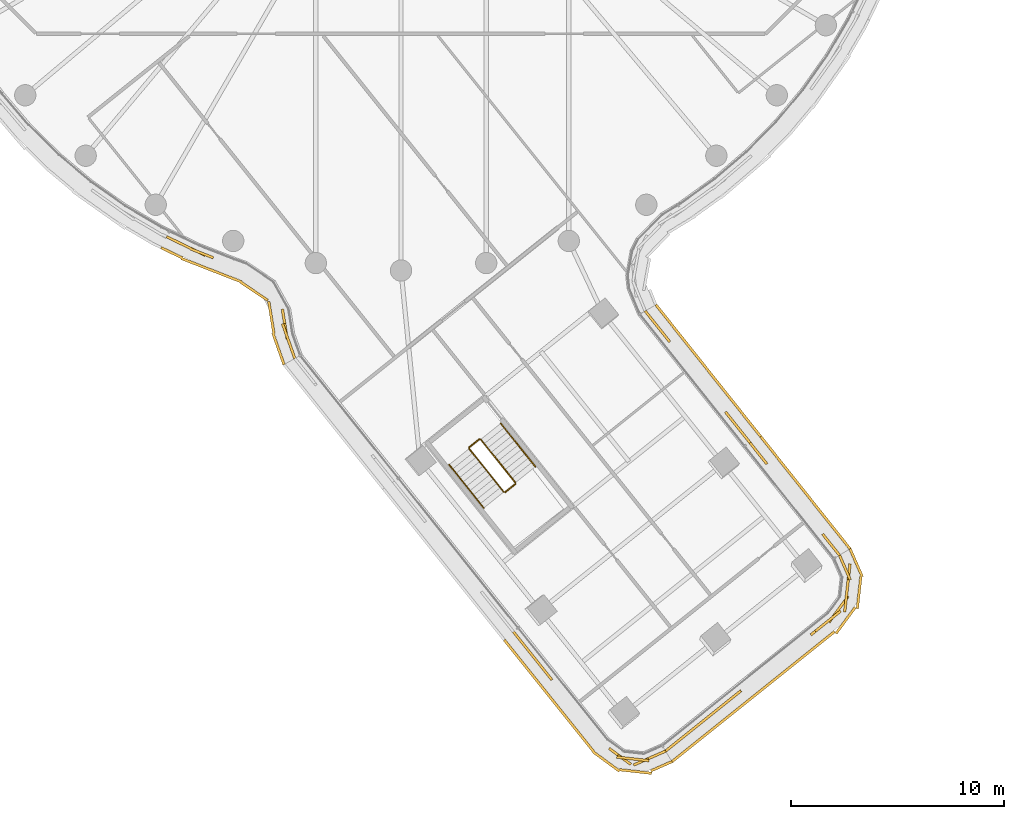
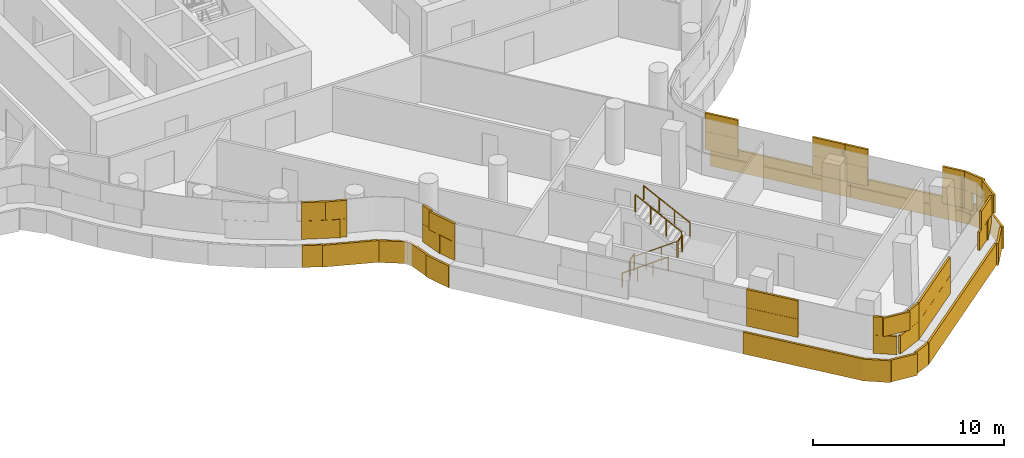
# One storey, part 26 of 31: 6 railings, 5 coverings.
"""IFC4 building model written with IfcOpenShell, lengths in metres."""

from ifc_helpers import new_model, si_unit, direction, frame, origin, origin_2d, place, context, subcontext, project, spatial, rectangle, circle, extrude, material, layer, layer_set, type_object, element, save


model = new_model("IFC4")

# Units and contexts
model_context = context("Model", 3, precision=1e-05, world=origin(), true_north=direction((0.0, 1.0)))
body_context = subcontext(model_context, "Body", "Model", "MODEL_VIEW")
ifc_project = project(units=[si_unit("LENGTHUNIT", "METRE"), si_unit("AREAUNIT", "SQUARE_METRE"), si_unit("VOLUMEUNIT", "CUBIC_METRE"), si_unit("PLANEANGLEUNIT", "RADIAN"), si_unit("MASSUNIT", "GRAM", prefix="KILO")], contexts=[model_context])

# Site, building, storey
site_placement = place(None, origin())
site = spatial("IfcSite", under=ifc_project, at=site_placement, CompositionType="ELEMENT")
building_placement = place(site_placement, origin())
building = spatial("IfcBuilding", under=site, at=building_placement, Name="Tamarind Cross Interchange Tower", CompositionType="ELEMENT")
storey_placement = place(building_placement, frame((0.0, 0.0, 174.25)))
storey = spatial("IfcBuildingStorey", under=building, at=storey_placement, Name="L43", CompositionType="ELEMENT", Elevation=174.25)

# Railings
ifc_material_1 = material(Name="Stair guard")
railing_type_1 = type_object("IfcRailingType", Name="Stair guard", PredefinedType="GUARDRAIL", material=ifc_material_1)
railing_1_placement = place(storey_placement, frame((3.193359375, -31.35498046875, 0.17041015625)))
element("IfcRailing", 1, at=railing_1_placement, inside=storey, type_object=railing_type_1, Name="L43 ST6 stair guard 1", PredefinedType="GUARDRAIL", context=body_context, shape_type="SweptSolid", body=[
    extrude(circle(Radius=0.02392578125, at=origin_2d()), frame((0.0, 0.0, 1.076171875), z_axis=(0.522440495283, -0.653030987341, 0.548275896298), x_axis=(0.780859648533, 0.62470649852, 0.0)), (0.0, 0.0, 1.0), 3.10888671875),
    extrude(circle(Radius=0.02099609375, at=origin_2d()), origin(), (0.0, 0.0, 1.0), 1.052001953125),
    extrude(circle(Radius=0.02099609375, at=origin_2d()), frame((0.54150390625, -0.6767578125, 0.568115234375)), (0.0, 0.0, 1.0), 1.052001953125),
    extrude(circle(Radius=0.02099609375, at=origin_2d()), frame((1.082763671875, -1.353515625, 1.136474609375)), (0.0, 0.0, 1.0), 1.052001953125),
    extrude(circle(Radius=0.02099609375, at=origin_2d()), frame((1.624267578125, -2.0302734375, 1.70458984375)), (0.0, 0.0, 1.0), 1.052001953125),
])
railing_2_placement = place(storey_placement, frame((4.8876953125, -33.39306640625, 1.875)))
element("IfcRailing", 2, at=railing_2_placement, inside=storey, type_object=railing_type_1, Name="L43 ST6 stair guard 2", PredefinedType="GUARDRAIL", context=body_context, shape_type="SweptSolid", body=[
    extrude(circle(Radius=0.02392578125, at=origin_2d()), frame((0.0, 0.0, 1.076171875), z_axis=(0.781067211918, 0.624446963695, 0.0), x_axis=(-0.624446963695, 0.781067211918, 0.0)), (0.0, 0.0, 1.0), 0.60009765625),
    extrude(circle(Radius=0.02099609375, at=origin_2d()), origin(), (0.0, 0.0, 1.0), 1.052001953125),
    extrude(circle(Radius=0.02099609375, at=origin_2d()), frame((0.46875, 0.374755859375, 0.0)), (0.0, 0.0, 1.0), 1.052001953125),
])
railing_3_placement = place(storey_placement, frame((5.3642578125, -32.947998046875, 2.04541015625)))
element("IfcRailing", 3, at=railing_3_placement, inside=storey, type_object=railing_type_1, Name="L43 ST6 stair guard 3", PredefinedType="GUARDRAIL", context=body_context, shape_type="SweptSolid", body=[
    extrude(circle(Radius=0.02392578125, at=origin_2d()), frame((0.0, 0.0, 1.076171875), z_axis=(-0.522440495283, 0.653030987341, 0.548275896298), x_axis=(-0.780859648533, -0.62470649852, 0.0)), (0.0, 0.0, 1.0), 3.10888671875),
    extrude(circle(Radius=0.02099609375, at=origin_2d()), origin(), (0.0, 0.0, 1.0), 1.052001953125),
    extrude(circle(Radius=0.02099609375, at=origin_2d()), frame((-0.54150390625, 0.6767578125, 0.568115234375)), (0.0, 0.0, 1.0), 1.052001953125),
    extrude(circle(Radius=0.02099609375, at=origin_2d()), frame((-1.082763671875, 1.353515625, 1.136474609375)), (0.0, 0.0, 1.0), 1.052001953125),
    extrude(circle(Radius=0.02099609375, at=origin_2d()), frame((-1.624267578125, 2.0302734375, 1.70458984375)), (0.0, 0.0, 1.0), 1.052001953125),
])
railing_4_placement = place(storey_placement, frame((3.201171875, -31.28466796875, 0.0)))
element("IfcRailing", 4, at=railing_4_placement, inside=storey, type_object=railing_type_1, Name="L43 ST6 stair guard 4", PredefinedType="GUARDRAIL", context=body_context, shape_type="SweptSolid", body=[
    extrude(circle(Radius=0.02392578125, at=origin_2d()), frame((0.0, 0.0, 1.076171875), z_axis=(0.780908508854, 0.624645420058, 0.0), x_axis=(-0.624645420058, 0.780908508854, 0.0)), (0.0, 0.0, 1.0), 0.599853515625),
    extrude(circle(Radius=0.02099609375, at=origin_2d()), origin(), (0.0, 0.0, 1.0), 1.052001953125),
    extrude(circle(Radius=0.02099609375, at=origin_2d()), frame((0.468505859375, 0.374755859375, 0.0)), (0.0, 0.0, 1.0), 1.052001953125),
])
ifc_material_2 = material(Name="Stair handrail")
railing_type_2 = type_object("IfcRailingType", Name="Stair handrail", PredefinedType="HANDRAIL", material=ifc_material_2)
railing_5_placement = place(storey_placement, frame((2.25634765625, -32.1044921875, 0.17041015625)))
element("IfcRailing", 5, at=railing_5_placement, inside=storey, type_object=railing_type_2, Name="L43 ST6 stair handrail 1", PredefinedType="HANDRAIL", context=body_context, shape_type="SweptSolid", body=[
    extrude(circle(Radius=0.02392578125, at=origin_2d()), frame((0.0, 0.0, 0.8759765625), z_axis=(0.522383398209, -0.653057778038, 0.548298389401), x_axis=(0.780905453553, 0.624649239663, 0.0)), (0.0, 0.0, 1.0), 3.10888671875),
    extrude(circle(Radius=0.02099609375, at=origin_2d()), origin(), (0.0, 0.0, 1.0), 0.851806640625),
    extrude(circle(Radius=0.02099609375, at=origin_2d()), frame((0.541259765625, -0.6767578125, 0.568115234375)), (0.0, 0.0, 1.0), 0.851806640625),
    extrude(circle(Radius=0.02099609375, at=origin_2d()), frame((1.082763671875, -1.353515625, 1.136474609375)), (0.0, 0.0, 1.0), 0.851806640625),
    extrude(circle(Radius=0.02099609375, at=origin_2d()), frame((1.6240234375, -2.0302734375, 1.70458984375)), (0.0, 0.0, 1.0), 0.851806640625),
])
railing_6_placement = place(storey_placement, frame((6.30126953125, -32.198486328125, 2.04541015625)))
element("IfcRailing", 6, at=railing_6_placement, inside=storey, type_object=railing_type_2, Name="L43 ST6 stair handrail 2", PredefinedType="HANDRAIL", context=body_context, shape_type="SweptSolid", body=[
    extrude(circle(Radius=0.02392578125, at=origin_2d()), frame((0.0, 0.0, 0.8759765625), z_axis=(-0.522413704671, 0.65307602311, 0.548247780853), x_axis=(-0.780896289151, -0.624660696371, 0.0)), (0.0, 0.0, 1.0), 3.109130859375),
    extrude(circle(Radius=0.02099609375, at=origin_2d()), origin(), (0.0, 0.0, 1.0), 0.851806640625),
    extrude(circle(Radius=0.02099609375, at=origin_2d()), frame((-0.54150390625, 0.6767578125, 0.568115234375)), (0.0, 0.0, 1.0), 0.851806640625),
    extrude(circle(Radius=0.02099609375, at=origin_2d()), frame((-1.082763671875, 1.353759765625, 1.136474609375)), (0.0, 0.0, 1.0), 0.851806640625),
    extrude(circle(Radius=0.02099609375, at=origin_2d()), frame((-1.624267578125, 2.030517578125, 1.70458984375)), (0.0, 0.0, 1.0), 0.851806640625),
])

# Coverings
ifc_material_3 = material(Name="Terracotta", Category="masonry")
ifc_layer = layer(ifc_material_3, 0.1201171875)
ifc_layer_set = layer_set([ifc_layer], Name="Terracotta")
covering_type = type_object("IfcCoveringType", Name="Terracotta baguette screen unit", PredefinedType="MOLDING", material=ifc_layer_set)
covering_1_placement = place(storey_placement, origin())
element("IfcCovering", 7, at=covering_1_placement, inside=storey, type_object=covering_type, Name="SCR-L43-02-01", PredefinedType="MOLDING", context=body_context, shape_type="SweptSolid", body=[
    extrude(rectangle(XDim=0.516845703125, YDim=0.1201171875, at=origin_2d()), frame((-10.7568359375, -21.52978515625, 1.404052734375), z_axis=(0.0, 0.0, 1.0), x_axis=(0.900272776334, -0.435326231914, 0.0)), (0.0, 0.0, 1.0), 1.1669921875),
    extrude(rectangle(XDim=1.52001953125, YDim=0.1201171875, at=origin_2d()), frame((-9.853271484375, -21.966796875, 1.404052734375), z_axis=(0.0, 0.0, 1.0), x_axis=(0.900272776334, -0.435326231914, 0.0)), (0.0, 0.0, 1.0), 1.1669921875),
    extrude(rectangle(XDim=0.392578125, YDim=0.1201171875, at=origin_2d()), frame((-8.98583984375, -22.33056640625, 1.404052734375), z_axis=(0.0, 0.0, 1.0), x_axis=(0.931591088049, -0.363507970569, 0.0)), (0.0, 0.0, 1.0), 1.1669921875),
    extrude(rectangle(XDim=1.42724609375, YDim=0.1201171875, at=origin_2d()), frame((-5.44921875, -25.518310546875, 1.404052734375), z_axis=(0.0, 0.0, 1.0), x_axis=(0.157985413104, -0.987441445984, 0.0)), (0.0, 0.0, 1.0), 1.1669921875),
    extrude(rectangle(XDim=0.982177734375, YDim=0.1201171875, at=origin_2d()), frame((-5.140869140625, -26.667724609375, 1.404052734375), z_axis=(0.0, 0.0, 1.0), x_axis=(0.333495519273, -0.942751684499, 0.0)), (0.0, 0.0, 1.0), 1.1669921875),
    extrude(rectangle(XDim=1.266845703125, YDim=0.1201171875, at=origin_2d()), frame((-10.419189453125, -21.693115234375, 2.5791015625), z_axis=(0.0, 0.0, 1.0), x_axis=(0.900272776334, -0.435326231914, 0.0)), (0.0, 0.0, 1.0), 1.1669921875),
    extrude(rectangle(XDim=1.142578125, YDim=0.1201171875, at=origin_2d()), frame((-9.335205078125, -22.1943359375, 2.5791015625), z_axis=(0.0, 0.0, 1.0), x_axis=(0.931591088049, -0.363507970569, 0.0)), (0.0, 0.0, 1.0), 1.1669921875),
    extrude(rectangle(XDim=0.67724609375, YDim=0.1201171875, at=origin_2d()), frame((-5.508544921875, -25.14794921875, 2.5791015625), z_axis=(0.0, 0.0, 1.0), x_axis=(0.157985413104, -0.987441445984, 0.0)), (0.0, 0.0, 1.0), 1.1669921875),
    extrude(rectangle(XDim=1.52001953125, YDim=0.1201171875, at=origin_2d()), frame((-5.30322265625, -26.20947265625, 2.5791015625), z_axis=(0.0, 0.0, 1.0), x_axis=(0.333495519273, -0.942751684499, 0.0)), (0.0, 0.0, 1.0), 1.1669921875),
    extrude(rectangle(XDim=0.232177734375, YDim=0.1201171875, at=origin_2d()), frame((-5.015869140625, -27.021240234375, 2.5791015625), z_axis=(0.0, 0.0, 1.0), x_axis=(0.333495519273, -0.942751684499, 0.0)), (0.0, 0.0, 1.0), 1.1669921875),
    extrude(rectangle(XDim=1.099853515625, YDim=0.1201171875, at=origin_2d()), frame((-10.752197265625, -22.169677734375, 0.00390625), z_axis=(0.0, 0.0, 1.0), x_axis=(0.900272776334, -0.435326231914, 0.0)), (0.0, 0.0, 1.0), 1.39208984375),
    extrude(rectangle(XDim=1.52001953125, YDim=0.1201171875, at=origin_2d()), frame((-9.583251953125, -22.7138671875, 0.00390625), z_axis=(0.0, 0.0, 1.0), x_axis=(0.931591088049, -0.363507970569, 0.0)), (0.0, 0.0, 1.0), 1.39208984375),
    extrude(rectangle(XDim=1.52001953125, YDim=0.1201171875, at=origin_2d()), frame((-8.185791015625, -23.259033203125, 0.00390625), z_axis=(0.0, 0.0, 1.0), x_axis=(0.931591088049, -0.363507970569, 0.0)), (0.0, 0.0, 1.0), 1.39208984375),
    extrude(rectangle(XDim=1.52001953125, YDim=0.1201171875, at=origin_2d()), frame((-6.87939453125, -23.975341796875, 0.00390625), z_axis=(0.0, 0.0, 1.0), x_axis=(0.829754171927, -0.558129030036, 0.0)), (0.0, 0.0, 1.0), 1.39208984375),
    extrude(rectangle(XDim=1.52001953125, YDim=0.1201171875, at=origin_2d()), frame((-6.0810546875, -25.201904296875, 0.00390625), z_axis=(0.0, 0.0, 1.0), x_axis=(0.157985413104, -0.987441445984, 0.0)), (0.0, 0.0, 1.0), 1.39208984375),
    extrude(rectangle(XDim=1.52001953125, YDim=0.1201171875, at=origin_2d()), frame((-5.752685546875, -26.659912109375, 0.00390625), z_axis=(0.0, 0.0, 1.0), x_axis=(0.333495519273, -0.942751684499, 0.0)), (0.0, 0.0, 1.0), 1.39208984375),
    extrude(rectangle(XDim=0.054443359375, YDim=0.1201171875, at=origin_2d()), frame((-5.496826171875, -27.383056640625, 0.00390625), z_axis=(0.0, 0.0, 1.0), x_axis=(0.333495519273, -0.942751684499, 0.0)), (0.0, 0.0, 1.0), 1.39208984375),
])
covering_2_placement = place(storey_placement, origin())
element("IfcCovering", 8, at=covering_2_placement, inside=storey, type_object=covering_type, Name="SCR-L43-03-02", PredefinedType="MOLDING", context=body_context, shape_type="SweptSolid", body=[
    extrude(rectangle(XDim=0.8486328125, YDim=0.1201171875, at=origin_2d()), frame((5.53466796875, -40.26904296875, 1.404052734375), z_axis=(0.0, 0.0, 1.0), x_axis=(0.624664951388, -0.780892885425, 0.0)), (0.0, 0.0, 1.0), 1.1669921875),
    extrude(rectangle(XDim=1.52001953125, YDim=0.1201171875, at=origin_2d()), frame((6.26513671875, -41.18212890625, 1.404052734375), z_axis=(0.0, 0.0, 1.0), x_axis=(0.624664951388, -0.780892885425, 0.0)), (0.0, 0.0, 1.0), 1.1669921875),
    extrude(rectangle(XDim=0.554931640625, YDim=0.1201171875, at=origin_2d()), frame((6.90380859375, -41.98046875, 1.404052734375), z_axis=(0.0, 0.0, 1.0), x_axis=(0.624664951388, -0.780892885425, 0.0)), (0.0, 0.0, 1.0), 1.1669921875),
    extrude(rectangle(XDim=1.26513671875, YDim=0.1201171875, at=origin_2d()), frame((10.264892578125, -45.7802734375, 1.404052734375), z_axis=(0.0, 0.0, 1.0), x_axis=(0.805489960256, -0.59260941937, 0.0)), (0.0, 0.0, 1.0), 1.1669921875),
    extrude(rectangle(XDim=1.52001953125, YDim=0.1201171875, at=origin_2d()), frame((11.60009765625, -45.882568359375, 1.404052734375), z_axis=(0.0, 0.0, 1.0), x_axis=(0.915959791825, 0.40127005839, 0.0)), (0.0, 0.0, 1.0), 1.1669921875),
    extrude(rectangle(XDim=0.138427734375, YDim=0.1201171875, at=origin_2d()), frame((12.345703125, -45.555908203125, 1.404052734375), z_axis=(0.0, 0.0, 1.0), x_axis=(0.915959791825, 0.40127005839, 0.0)), (0.0, 0.0, 1.0), 1.1669921875),
    extrude(rectangle(XDim=0.0986328125, YDim=0.1201171875, at=origin_2d()), frame((5.30029296875, -39.97607421875, 2.5791015625), z_axis=(0.0, 0.0, 1.0), x_axis=(0.624664951388, -0.780892885425, 0.0)), (0.0, 0.0, 1.0), 1.1669921875),
    extrude(rectangle(XDim=1.52001953125, YDim=0.1201171875, at=origin_2d()), frame((5.796630859375, -40.596435546875, 2.5791015625), z_axis=(0.0, 0.0, 1.0), x_axis=(0.624664951388, -0.780892885425, 0.0)), (0.0, 0.0, 1.0), 1.1669921875),
    extrude(rectangle(XDim=1.304931640625, YDim=0.1201171875, at=origin_2d()), frame((6.66943359375, -41.687744140625, 2.5791015625), z_axis=(0.0, 0.0, 1.0), x_axis=(0.624664951388, -0.780892885425, 0.0)), (0.0, 0.0, 1.0), 1.1669921875),
    extrude(rectangle(XDim=0.51513671875, YDim=0.1201171875, at=origin_2d()), frame((9.962890625, -45.55810546875, 2.5791015625), z_axis=(0.0, 0.0, 1.0), x_axis=(0.805489960256, -0.59260941937, 0.0)), (0.0, 0.0, 1.0), 1.1669921875),
    extrude(rectangle(XDim=1.52001953125, YDim=0.1201171875, at=origin_2d()), frame((10.86962890625, -45.8984375, 2.5791015625), z_axis=(0.0, 0.0, 1.0), x_axis=(0.99387947776, -0.110469831569, 0.0)), (0.0, 0.0, 1.0), 1.1669921875),
    extrude(rectangle(XDim=0.888427734375, YDim=0.1201171875, at=origin_2d()), frame((12.002197265625, -45.70654296875, 2.5791015625), z_axis=(0.0, 0.0, 1.0), x_axis=(0.915959791825, 0.40127005839, 0.0)), (0.0, 0.0, 1.0), 1.1669921875),
    extrude(rectangle(XDim=0.726318359375, YDim=0.1201171875, at=origin_2d()), frame((5.067138671875, -40.603515625, 0.00390625), z_axis=(0.0, 0.0, 1.0), x_axis=(0.624664951388, -0.780892885425, 0.0)), (0.0, 0.0, 1.0), 1.39208984375),
    extrude(rectangle(XDim=1.52001953125, YDim=0.1201171875, at=origin_2d()), frame((5.75634765625, -41.46484375, 0.00390625), z_axis=(0.0, 0.0, 1.0), x_axis=(0.624664951388, -0.780892885425, 0.0)), (0.0, 0.0, 1.0), 1.39208984375),
    extrude(rectangle(XDim=1.52001953125, YDim=0.1201171875, at=origin_2d()), frame((6.693359375, -42.63623046875, 0.00390625), z_axis=(0.0, 0.0, 1.0), x_axis=(0.624664951388, -0.780892885425, 0.0)), (0.0, 0.0, 1.0), 1.39208984375),
    extrude(rectangle(XDim=1.52001953125, YDim=0.1201171875, at=origin_2d()), frame((7.63037109375, -43.8076171875, 0.00390625), z_axis=(0.0, 0.0, 1.0), x_axis=(0.624664951388, -0.780892885425, 0.0)), (0.0, 0.0, 1.0), 1.39208984375),
    extrude(rectangle(XDim=1.52001953125, YDim=0.1201171875, at=origin_2d()), frame((8.5673828125, -44.97900390625, 0.00390625), z_axis=(0.0, 0.0, 1.0), x_axis=(0.624664951388, -0.780892885425, 0.0)), (0.0, 0.0, 1.0), 1.39208984375),
    extrude(rectangle(XDim=1.52001953125, YDim=0.1201171875, at=origin_2d()), frame((9.62646484375, -46.023193359375, 0.00390625), z_axis=(0.0, 0.0, 1.0), x_axis=(0.805489960256, -0.59260941937, 0.0)), (0.0, 0.0, 1.0), 1.39208984375),
    extrude(rectangle(XDim=1.52001953125, YDim=0.1201171875, at=origin_2d()), frame((10.999267578125, -46.490478515625, 0.00390625), z_axis=(0.0, 0.0, 1.0), x_axis=(0.99387947776, -0.110469831569, 0.0)), (0.0, 0.0, 1.0), 1.39208984375),
    extrude(rectangle(XDim=1.0771484375, YDim=0.1201171875, at=origin_2d()), frame((12.210693359375, -46.24169921875, 0.00390625), z_axis=(0.0, 0.0, 1.0), x_axis=(0.915959791825, 0.40127005839, 0.0)), (0.0, 0.0, 1.0), 1.39208984375),
])
covering_3_placement = place(storey_placement, origin())
element("IfcCovering", 9, at=covering_3_placement, inside=storey, type_object=covering_type, Name="SCR-L43-04-00", PredefinedType="MOLDING", context=body_context, shape_type="SweptSolid", body=[
    extrude(rectangle(XDim=0.760009765625, YDim=0.1201171875, at=origin_2d()), frame((12.697509765625, -45.2958984375, 1.404052734375), z_axis=(0.0, 0.0, 1.0), x_axis=(0.780892885425, 0.624664951388, 0.0)), (0.0, 0.0, 1.0), 1.1669921875),
    extrude(rectangle(XDim=1.52001953125, YDim=0.1201171875, at=origin_2d()), frame((13.575927734375, -44.59326171875, 1.404052734375), z_axis=(0.0, 0.0, 1.0), x_axis=(0.780892885425, 0.624664951388, 0.0)), (0.0, 0.0, 1.0), 1.1669921875),
    extrude(rectangle(XDim=1.52001953125, YDim=0.1201171875, at=origin_2d()), frame((14.747314453125, -43.65625, 1.404052734375), z_axis=(0.0, 0.0, 1.0), x_axis=(0.780892885425, 0.624664951388, 0.0)), (0.0, 0.0, 1.0), 1.1669921875),
    extrude(rectangle(XDim=0.78466796875, YDim=0.1201171875, at=origin_2d()), frame((15.635498046875, -42.94580078125, 1.404052734375), z_axis=(0.0, 0.0, 1.0), x_axis=(0.780892885425, 0.624664951388, 0.0)), (0.0, 0.0, 1.0), 1.1669921875),
    extrude(rectangle(XDim=1.03515625, YDim=0.1201171875, at=origin_2d()), frame((19.617919921875, -39.760009765625, 1.404052734375), z_axis=(0.0, 0.0, 1.0), x_axis=(0.780892885425, 0.624664951388, 0.0)), (0.0, 0.0, 1.0), 1.1669921875),
    extrude(rectangle(XDim=1.52001953125, YDim=0.1201171875, at=origin_2d()), frame((20.51416015625, -38.885009765625, 1.404052734375), z_axis=(0.0, 0.0, 1.0), x_axis=(0.59260941937, 0.805489960256, 0.0)), (0.0, 0.0, 1.0), 1.1669921875),
    extrude(rectangle(XDim=1.52001953125, YDim=0.1201171875, at=origin_2d()), frame((20.966796875, -37.50634765625, 1.404052734375), z_axis=(0.0, 0.0, 1.0), x_axis=(0.110469831569, 0.99387947776, 0.0)), (0.0, 0.0, 1.0), 1.1669921875),
    extrude(rectangle(XDim=0.509521484375, YDim=0.1201171875, at=origin_2d()), frame((20.656982421875, -36.57666015625, 1.404052734375), z_axis=(0.0, 0.0, 1.0), x_axis=(-0.40127005839, 0.915959791825, 0.0)), (0.0, 0.0, 1.0), 1.1669921875),
    extrude(rectangle(XDim=1.510009765625, YDim=0.1201171875, at=origin_2d()), frame((12.990234375, -45.061767578125, 2.5791015625), z_axis=(0.0, 0.0, 1.0), x_axis=(0.780892885425, 0.624664951388, 0.0)), (0.0, 0.0, 1.0), 1.1669921875),
    extrude(rectangle(XDim=1.52001953125, YDim=0.1201171875, at=origin_2d()), frame((14.16162109375, -44.124755859375, 2.5791015625), z_axis=(0.0, 0.0, 1.0), x_axis=(0.780892885425, 0.624664951388, 0.0)), (0.0, 0.0, 1.0), 1.1669921875),
    extrude(rectangle(XDim=1.52001953125, YDim=0.1201171875, at=origin_2d()), frame((15.3330078125, -43.187744140625, 2.5791015625), z_axis=(0.0, 0.0, 1.0), x_axis=(0.780892885425, 0.624664951388, 0.0)), (0.0, 0.0, 1.0), 1.1669921875),
    extrude(rectangle(XDim=1.52001953125, YDim=0.1201171875, at=origin_2d()), frame((20.018310546875, -39.439697265625, 2.5791015625), z_axis=(0.0, 0.0, 1.0), x_axis=(0.780892885425, 0.624664951388, 0.0)), (0.0, 0.0, 1.0), 1.1669921875),
    extrude(rectangle(XDim=1.52001953125, YDim=0.1201171875, at=origin_2d()), frame((20.884033203125, -38.251708984375, 2.5791015625), z_axis=(0.0, 0.0, 1.0), x_axis=(0.110469831569, 0.99387947776, 0.0)), (0.0, 0.0, 1.0), 1.1669921875),
    extrude(rectangle(XDim=1.259521484375, YDim=0.1201171875, at=origin_2d()), frame((20.807373046875, -36.920166015625, 2.5791015625), z_axis=(0.0, 0.0, 1.0), x_axis=(-0.40127005839, 0.915959791825, 0.0)), (0.0, 0.0, 1.0), 1.1669921875),
    extrude(rectangle(XDim=0.760009765625, YDim=0.1201171875, at=origin_2d()), frame((13.0009765625, -45.788330078125, 0.00390625), z_axis=(0.0, 0.0, 1.0), x_axis=(0.780892885425, 0.624664951388, 0.0)), (0.0, 0.0, 1.0), 1.39208984375),
    extrude(rectangle(XDim=1.52001953125, YDim=0.1201171875, at=origin_2d()), frame((13.87548828125, -45.088623046875, 0.00390625), z_axis=(0.0, 0.0, 1.0), x_axis=(0.780892885425, 0.624664951388, 0.0)), (0.0, 0.0, 1.0), 1.39208984375),
    extrude(rectangle(XDim=1.52001953125, YDim=0.1201171875, at=origin_2d()), frame((15.046875, -44.151611328125, 0.00390625), z_axis=(0.0, 0.0, 1.0), x_axis=(0.780892885425, 0.624664951388, 0.0)), (0.0, 0.0, 1.0), 1.39208984375),
    extrude(rectangle(XDim=1.52001953125, YDim=0.1201171875, at=origin_2d()), frame((16.21826171875, -43.214599609375, 0.00390625), z_axis=(0.0, 0.0, 1.0), x_axis=(0.780892885425, 0.624664951388, 0.0)), (0.0, 0.0, 1.0), 1.39208984375),
    extrude(rectangle(XDim=1.52001953125, YDim=0.1201171875, at=origin_2d()), frame((17.389404296875, -42.277587890625, 0.00390625), z_axis=(0.0, 0.0, 1.0), x_axis=(0.780892885425, 0.624664951388, 0.0)), (0.0, 0.0, 1.0), 1.39208984375),
    extrude(rectangle(XDim=1.52001953125, YDim=0.1201171875, at=origin_2d()), frame((18.560791015625, -41.340576171875, 0.00390625), z_axis=(0.0, 0.0, 1.0), x_axis=(0.780892885425, 0.624664951388, 0.0)), (0.0, 0.0, 1.0), 1.39208984375),
    extrude(rectangle(XDim=1.52001953125, YDim=0.1201171875, at=origin_2d()), frame((19.732177734375, -40.403564453125, 0.00390625), z_axis=(0.0, 0.0, 1.0), x_axis=(0.780892885425, 0.624664951388, 0.0)), (0.0, 0.0, 1.0), 1.39208984375),
    extrude(rectangle(XDim=1.52001953125, YDim=0.1201171875, at=origin_2d()), frame((20.84228515625, -39.407958984375, 0.00390625), z_axis=(0.0, 0.0, 1.0), x_axis=(0.59260941937, 0.805489960256, 0.0)), (0.0, 0.0, 1.0), 1.39208984375),
    extrude(rectangle(XDim=1.52001953125, YDim=0.1201171875, at=origin_2d()), frame((21.478271484375, -38.100830078125, 0.00390625), z_axis=(0.0, 0.0, 1.0), x_axis=(0.110469831569, 0.99387947776, 0.0)), (0.0, 0.0, 1.0), 1.39208984375),
    extrude(rectangle(XDim=1.42626953125, YDim=0.1201171875, at=origin_2d()), frame((21.338623046875, -36.702392578125, 0.00390625), z_axis=(0.0, 0.0, 1.0), x_axis=(-0.40127005839, 0.915959791825, 0.0)), (0.0, 0.0, 1.0), 1.39208984375),
])
covering_4_placement = place(storey_placement, origin())
element("IfcCovering", 10, at=covering_4_placement, inside=storey, type_object=covering_type, Name="SCR-L43-05-00", PredefinedType="MOLDING", context=body_context, shape_type="SweptSolid", body=[
    extrude(rectangle(XDim=0.760009765625, YDim=0.1201171875, at=origin_2d()), frame((20.3232421875, -36.054443359375, 1.404052734375), z_axis=(0.0, 0.0, 1.0), x_axis=(-0.622525287487, 0.782599684666, 0.0)), (0.0, 0.0, 1.0), 1.1669921875),
    extrude(rectangle(XDim=0.5263671875, YDim=0.1201171875, at=origin_2d()), frame((19.92919921875, -35.558837890625, 1.404052734375), z_axis=(0.0, 0.0, 1.0), x_axis=(-0.622525287487, 0.782599684666, 0.0)), (0.0, 0.0, 1.0), 1.1669921875),
    extrude(rectangle(XDim=1.266357421875, YDim=0.1201171875, at=origin_2d()), frame((16.759521484375, -31.574462890625, 1.404052734375), z_axis=(0.0, 0.0, 1.0), x_axis=(-0.622525287487, 0.782599684666, 0.0)), (0.0, 0.0, 1.0), 1.1669921875),
    extrude(rectangle(XDim=1.266357421875, YDim=0.1201171875, at=origin_2d()), frame((20.16259765625, -35.852294921875, 2.5791015625), z_axis=(0.0, 0.0, 1.0), x_axis=(-0.622525287487, 0.782599684666, 0.0)), (0.0, 0.0, 1.0), 1.1669921875),
    extrude(rectangle(XDim=0.543701171875, YDim=0.1201171875, at=origin_2d()), frame((16.98779296875, -31.861083984375, 2.5791015625), z_axis=(0.0, 0.0, 1.0), x_axis=(-0.622525287487, 0.782599684666, 0.0)), (0.0, 0.0, 1.0), 1.1669921875),
    extrude(rectangle(XDim=0.74267578125, YDim=0.1201171875, at=origin_2d()), frame((16.593505859375, -31.365478515625, 2.5791015625), z_axis=(0.0, 0.0, 1.0), x_axis=(-0.622525287487, 0.782599684666, 0.0)), (0.0, 0.0, 1.0), 1.1669921875),
    extrude(rectangle(XDim=0.760009765625, YDim=0.1201171875, at=origin_2d()), frame((20.81591796875, -35.751708984375, 0.00390625), z_axis=(0.0, 0.0, 1.0), x_axis=(-0.622525287487, 0.782599684666, 0.0)), (0.0, 0.0, 1.0), 1.39208984375),
    extrude(rectangle(XDim=1.52001953125, YDim=0.1201171875, at=origin_2d()), frame((20.11865234375, -34.875244140625, 0.00390625), z_axis=(0.0, 0.0, 1.0), x_axis=(-0.622525287487, 0.782599684666, 0.0)), (0.0, 0.0, 1.0), 1.39208984375),
    extrude(rectangle(XDim=1.52001953125, YDim=0.1201171875, at=origin_2d()), frame((19.184814453125, -33.701171875, 0.00390625), z_axis=(0.0, 0.0, 1.0), x_axis=(-0.622525287487, 0.782599684666, 0.0)), (0.0, 0.0, 1.0), 1.39208984375),
    extrude(rectangle(XDim=1.52001953125, YDim=0.1201171875, at=origin_2d()), frame((18.251220703125, -32.52734375, 0.00390625), z_axis=(0.0, 0.0, 1.0), x_axis=(-0.622525287487, 0.782599684666, 0.0)), (0.0, 0.0, 1.0), 1.39208984375),
    extrude(rectangle(XDim=1.48974609375, YDim=0.1201171875, at=origin_2d()), frame((17.326904296875, -31.365478515625, 0.00390625), z_axis=(0.0, 0.0, 1.0), x_axis=(-0.622525287487, 0.782599684666, 0.0)), (0.0, 0.0, 1.0), 1.39208984375),
])
covering_5_placement = place(storey_placement, origin())
element("IfcCovering", 11, at=covering_5_placement, inside=storey, type_object=covering_type, Name="SCR-L43-05-01", PredefinedType="MOLDING", context=body_context, shape_type="SweptSolid", body=[
    extrude(rectangle(XDim=1.52001953125, YDim=0.1201171875, at=origin_2d()), frame((15.8876953125, -30.478515625, 1.404052734375), z_axis=(0.0, 0.0, 1.0), x_axis=(-0.622525287487, 0.782599684666, 0.0)), (0.0, 0.0, 1.0), 1.1669921875),
    extrude(rectangle(XDim=0.34130859375, YDim=0.1201171875, at=origin_2d()), frame((15.317626953125, -29.76171875, 1.404052734375), z_axis=(0.0, 0.0, 1.0), x_axis=(-0.622525287487, 0.782599684666, 0.0)), (0.0, 0.0, 1.0), 1.1669921875),
    extrude(rectangle(XDim=1.478515625, YDim=0.1201171875, at=origin_2d()), frame((12.142822265625, -25.7705078125, 1.404052734375), z_axis=(0.0, 0.0, 1.0), x_axis=(-0.622525287487, 0.782599684666, 0.0)), (0.0, 0.0, 1.0), 1.1669921875),
    extrude(rectangle(XDim=0.39013671875, YDim=0.1201171875, at=origin_2d()), frame((11.5673828125, -25.047119140625, 1.404052734375), z_axis=(0.0, 0.0, 1.0), x_axis=(-0.622525287487, 0.782599684666, 0.0)), (0.0, 0.0, 1.0), 1.1669921875),
    extrude(rectangle(XDim=0.77734375, YDim=0.1201171875, at=origin_2d()), frame((16.126708984375, -30.778564453125, 2.5791015625), z_axis=(0.0, 0.0, 1.0), x_axis=(-0.622525287487, 0.782599684666, 0.0)), (0.0, 0.0, 1.0), 1.1669921875),
    extrude(rectangle(XDim=1.09130859375, YDim=0.1201171875, at=origin_2d()), frame((15.55126953125, -30.05517578125, 2.5791015625), z_axis=(0.0, 0.0, 1.0), x_axis=(-0.622525287487, 0.782599684666, 0.0)), (0.0, 0.0, 1.0), 1.1669921875),
    extrude(rectangle(XDim=0.728515625, YDim=0.1201171875, at=origin_2d()), frame((12.376220703125, -26.06396484375, 2.5791015625), z_axis=(0.0, 0.0, 1.0), x_axis=(-0.622525287487, 0.782599684666, 0.0)), (0.0, 0.0, 1.0), 1.1669921875),
    extrude(rectangle(XDim=1.14013671875, YDim=0.1201171875, at=origin_2d()), frame((11.80078125, -25.340576171875, 2.5791015625), z_axis=(0.0, 0.0, 1.0), x_axis=(-0.622525287487, 0.782599684666, 0.0)), (0.0, 0.0, 1.0), 1.1669921875),
    extrude(rectangle(XDim=0.0302734375, YDim=0.1201171875, at=origin_2d()), frame((16.853759765625, -30.7705078125, 0.00390625), z_axis=(0.0, 0.0, 1.0), x_axis=(-0.622525287487, 0.782599684666, 0.0)), (0.0, 0.0, 1.0), 1.39208984375),
    extrude(rectangle(XDim=1.52001953125, YDim=0.1201171875, at=origin_2d()), frame((16.383544921875, -30.1796875, 0.00390625), z_axis=(0.0, 0.0, 1.0), x_axis=(-0.622525287487, 0.782599684666, 0.0)), (0.0, 0.0, 1.0), 1.39208984375),
    extrude(rectangle(XDim=1.52001953125, YDim=0.1201171875, at=origin_2d()), frame((15.44970703125, -29.005615234375, 0.00390625), z_axis=(0.0, 0.0, 1.0), x_axis=(-0.622525287487, 0.782599684666, 0.0)), (0.0, 0.0, 1.0), 1.39208984375),
    extrude(rectangle(XDim=1.52001953125, YDim=0.1201171875, at=origin_2d()), frame((14.515869140625, -27.831787109375, 0.00390625), z_axis=(0.0, 0.0, 1.0), x_axis=(-0.622525287487, 0.782599684666, 0.0)), (0.0, 0.0, 1.0), 1.39208984375),
    extrude(rectangle(XDim=1.52001953125, YDim=0.1201171875, at=origin_2d()), frame((13.582275390625, -26.657958984375, 0.00390625), z_axis=(0.0, 0.0, 1.0), x_axis=(-0.622525287487, 0.782599684666, 0.0)), (0.0, 0.0, 1.0), 1.39208984375),
    extrude(rectangle(XDim=1.52001953125, YDim=0.1201171875, at=origin_2d()), frame((12.6484375, -25.48388671875, 0.00390625), z_axis=(0.0, 0.0, 1.0), x_axis=(-0.622525287487, 0.782599684666, 0.0)), (0.0, 0.0, 1.0), 1.39208984375),
    extrude(rectangle(XDim=0.38330078125, YDim=0.1201171875, at=origin_2d()), frame((12.068359375, -24.7548828125, 0.00390625), z_axis=(0.0, 0.0, 1.0), x_axis=(-0.622525287487, 0.782599684666, 0.0)), (0.0, 0.0, 1.0), 1.39208984375),
])

save(model, "model.ifc")
